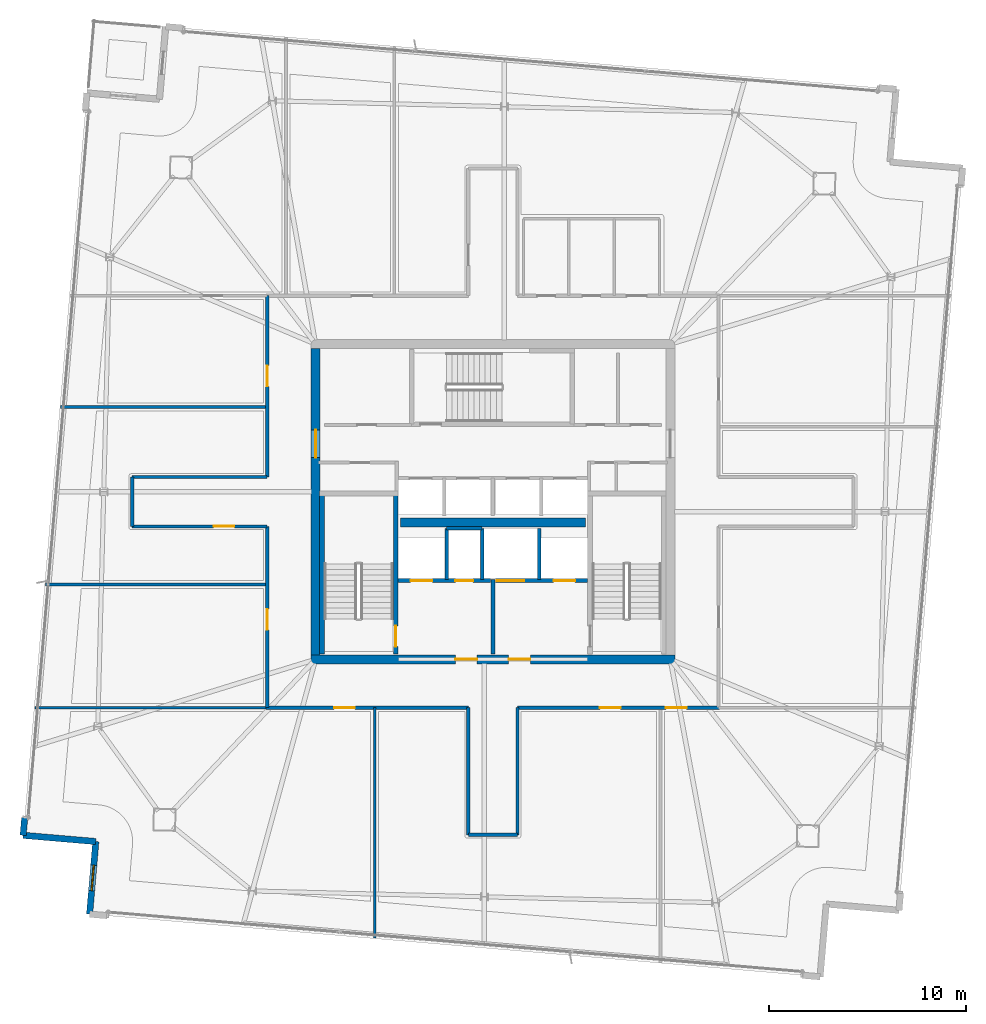
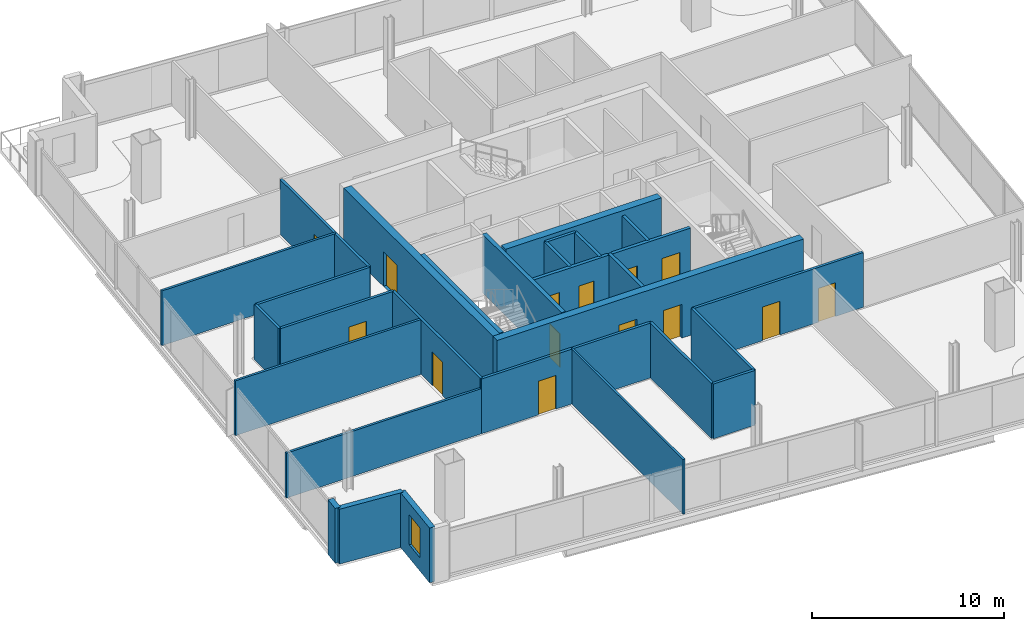
# One storey, part 19 of 24: 29 walls, 14 doors, 1 window, 15 openings.
"""IFC4 building model written with IfcOpenShell, lengths in metres."""

from ifc_helpers import new_model, si_unit, direction, frame, frame_2d, origin, place, context, subcontext, project, spatial, rectangle, extrude, material, layer, layer_set, type_object, element, fill, save


model = new_model("IFC4")

# Units and contexts
model_context = context("Model", 3, precision=1e-05, world=origin(), true_north=direction((0.0, 1.0)))
body_context = subcontext(model_context, "Body", "Model", "MODEL_VIEW")
ifc_project = project(units=[si_unit("LENGTHUNIT", "METRE"), si_unit("AREAUNIT", "SQUARE_METRE"), si_unit("VOLUMEUNIT", "CUBIC_METRE"), si_unit("PLANEANGLEUNIT", "RADIAN"), si_unit("MASSUNIT", "GRAM", prefix="KILO")], contexts=[model_context])

# Site, building, storey
site_placement = place(None, origin())
site = spatial("IfcSite", under=ifc_project, at=site_placement, CompositionType="ELEMENT")
building_placement = place(site_placement, origin())
building = spatial("IfcBuilding", under=site, at=building_placement, Name="Haldenkirk Collegiate Tower", CompositionType="ELEMENT")
storey_placement = place(building_placement, frame((0.0, 0.0, 313.949951171875)))
storey = spatial("IfcBuildingStorey", under=building, at=storey_placement, Name="L79", CompositionType="ELEMENT", Elevation=313.949951171875)

# Wall, openings, doors
ifc_material_1 = material(Name="Concrete f'c 55 MPa", Category="concrete")
ifc_layer_1 = layer(ifc_material_1, 0.449951171875)
ifc_layer_set_1 = layer_set([ifc_layer_1], Name="Concrete f'c 55 MPa")
wall_type_1 = type_object("IfcWallType", Name="WL-CORE-450", PredefinedType="SHEAR", material=ifc_layer_set_1)
wall_1_placement = place(storey_placement, frame((26.77490234375, 18.0, 0.0), z_axis=(0.0, 0.0, 1.0), x_axis=(1.0, 0.0, 0.0)))
wall_1 = element("IfcWall", 1, at=wall_1_placement, inside=storey, type_object=wall_type_1, Name="L79 central core shear wall S", PredefinedType="SHEAR", context=body_context, shape_type="SweptSolid", body=[
    extrude(rectangle(XDim=18.4501953125, YDim=0.449951171875, at=frame_2d((9.22509765625, 0.0))), origin(), (0.0, 0.0, 1.0), 3.75),
])
opening_1_placement = place(wall_1_placement, frame((7.324951171875, 0.0, 0.0)))
opening_1 = element("IfcOpeningElement", 2, at=opening_1_placement, cuts=wall_1, Name="Opening D-02", PredefinedType="OPENING", context=body_context, shape_type="SweptSolid", body=[
    extrude(rectangle(XDim=1.10009765625, YDim=2.14990234375, at=frame_2d((0.550048828125, 1.074951171875))), frame((0.0, 0.23486328125, 0.0), z_axis=(0.0, -1.0, 0.0), x_axis=(1.0, 0.0, 0.0)), (0.0, 0.0, 1.0), 0.469970703125),
])
opening_2_placement = place(wall_1_placement, frame((10.02490234375, 0.0, 0.0)))
opening_2 = element("IfcOpeningElement", 3, at=opening_2_placement, cuts=wall_1, Name="Opening D-02", PredefinedType="OPENING", context=body_context, shape_type="SweptSolid", body=[
    extrude(rectangle(XDim=1.10009765625, YDim=2.14990234375, at=frame_2d((0.550048828125, 1.074951171875))), frame((0.0, 0.23486328125, 0.0), z_axis=(0.0, -1.0, 0.0), x_axis=(1.0, 0.0, 0.0)), (0.0, 0.0, 1.0), 0.469970703125),
])
ifc_material_2 = material(Name="Galvanized fire-rated hollow steel door", Category="steel")
ifc_layer_2 = layer(ifc_material_2, 0.06005859375)
ifc_layer_set_2 = layer_set([ifc_layer_2], Name="Galvanized fire-rated hollow steel door")
door_type_1 = type_object("IfcDoorType", Name="DR-STAIR-FD90-1100", OperationType="NOTDEFINED", PredefinedType="DOOR", material=ifc_layer_set_2)
door_1_placement = place(opening_1_placement, origin())
door_1 = element("IfcDoor", 4, at=door_1_placement, inside=storey, type_object=door_type_1, Name="L79 Firefighting Lobby 1 door", OperationType="SINGLE_SWING_LEFT", OverallHeight=2.14990234375, OverallWidth=1.10009765625, PredefinedType="DOOR", context=body_context, shape_type="SweptSolid", body=[
    extrude(rectangle(XDim=1.10009765625, YDim=2.14990234375, at=frame_2d((0.550048828125, 1.074951171875))), frame((0.0, 0.02490234375, 0.0), z_axis=(0.0, -1.0, 0.0), x_axis=(1.0, 0.0, 0.0)), (0.0, 0.0, 1.0), 0.050048828125),
])
fill(opening_1, door_1)
door_2_placement = place(opening_2_placement, origin())
door_2 = element("IfcDoor", 5, at=door_2_placement, inside=storey, type_object=door_type_1, Name="L79 Firefighting Lobby 2 door", OperationType="SINGLE_SWING_RIGHT", OverallHeight=2.14990234375, OverallWidth=1.10009765625, PredefinedType="DOOR", context=body_context, shape_type="SweptSolid", body=[
    extrude(rectangle(XDim=1.10009765625, YDim=2.14990234375, at=frame_2d((0.550048828125, 1.074951171875))), frame((0.0, 0.02490234375, 0.0), z_axis=(0.0, -1.0, 0.0), x_axis=(1.0, 0.0, 0.0)), (0.0, 0.0, 1.0), 0.050048828125),
])
fill(opening_2, door_2)

# Wall, opening, door
wall_2_placement = place(storey_placement, frame((27.0, 18.22509765625, 0.0), z_axis=(0.0, 0.0, 1.0), x_axis=(0.0, 1.0, 0.0)))
wall_2 = element("IfcWall", 6, at=wall_2_placement, inside=storey, type_object=wall_type_1, Name="L79 central core shear wall W", PredefinedType="SHEAR", context=body_context, shape_type="SweptSolid", body=[
    extrude(rectangle(XDim=15.5498046875, YDim=0.449951171875, at=frame_2d((7.77490234375, 0.0))), origin(), (0.0, 0.0, 1.0), 3.75),
])
opening_3_placement = place(wall_2_placement, frame((10.014892578125, 0.0, 0.0)))
opening_3 = element("IfcOpeningElement", 7, at=opening_3_placement, cuts=wall_2, Name="Opening D-03", PredefinedType="OPENING", context=body_context, shape_type="SweptSolid", body=[
    extrude(rectangle(XDim=1.39990234375, YDim=2.199951171875, at=frame_2d((0.699951171875, 1.10009765625))), frame((0.0, 0.23486328125, 0.0), z_axis=(0.0, -1.0, 0.0), x_axis=(1.0, 0.0, 0.0)), (0.0, 0.0, 1.0), 0.469970703125),
])
ifc_layer_3 = layer(ifc_material_2, 0.06005859375)
ifc_layer_set_3 = layer_set([ifc_layer_3], Name="Galvanized fire-rated hollow steel door")
door_type_2 = type_object("IfcDoorType", Name="DR-LOBBY-FD90-1400", OperationType="NOTDEFINED", PredefinedType="DOOR", material=ifc_layer_set_3)
door_3_placement = place(opening_3_placement, origin())
door_3 = element("IfcDoor", 8, at=door_3_placement, inside=storey, type_object=door_type_2, Name="L79 west lift lobby portal", OperationType="DOUBLE_DOOR_SINGLE_SWING", OverallHeight=2.199951171875, OverallWidth=1.39990234375, PredefinedType="DOOR", context=body_context, shape_type="SweptSolid", body=[
    extrude(rectangle(XDim=1.39990234375, YDim=2.199951171875, at=frame_2d((0.699951171875, 1.10009765625))), frame((0.0, 0.02490234375, 0.0), z_axis=(0.0, -1.0, 0.0), x_axis=(1.0, 0.0, 0.0)), (0.0, 0.0, 1.0), 0.050048828125),
])
fill(opening_3, door_3)

# Walls
wall_3_placement = place(storey_placement, frame((31.31005859375, 24.949951171875, 0.0), z_axis=(0.0, 0.0, 1.0), x_axis=(1.0, 0.0, 0.0)))
element("IfcWall", 9, at=wall_3_placement, inside=storey, type_object=wall_type_1, Name="L79 central core spine shear wall", PredefinedType="SHEAR", context=body_context, shape_type="SweptSolid", body=[
    extrude(rectangle(XDim=9.3798828125, YDim=0.449951171875, at=frame_2d((4.68994140625, 0.0))), origin(), (0.0, 0.0, 1.0), 3.75),
])
ifc_material_3 = material(Name="Precast concrete f'c 40 MPa", Category="concrete")
ifc_layer_4 = layer(ifc_material_3, 0.320068359375)
ifc_layer_set_4 = layer_set([ifc_layer_4], Name="Precast concrete f'c 40 MPa")
wall_type_2 = type_object("IfcWallType", Name="WL-EXT-TWR-320", PredefinedType="STANDARD", material=ifc_layer_set_4)
wall_4_placement = place(storey_placement, frame((12.1669921875, 9.073974609375, 0.0), z_axis=(0.0, 0.0, 1.0), x_axis=(0.085447304034, 0.996342691163, 0.0)))
element("IfcWall", 10, at=wall_4_placement, inside=storey, type_object=wall_type_2, Name="L79 precast corner pier NL", PredefinedType="STANDARD", context=body_context, shape_type="SweptSolid", body=[
    extrude(rectangle(XDim=0.89990234375, YDim=0.320068359375, at=frame_2d((0.449951171875, 0.0))), origin(), (0.0, 0.0, 1.0), 3.489990234375),
])
wall_5_placement = place(storey_placement, frame((15.853515625, 8.7578125, 0.0), z_axis=(0.0, 0.0, 1.0), x_axis=(-0.996342637634, 0.085447928194, 0.0)))
element("IfcWall", 11, at=wall_5_placement, inside=storey, type_object=wall_type_2, Name="L79 bronze precast notch wall 08", PredefinedType="STANDARD", context=body_context, shape_type="SweptSolid", body=[
    extrude(rectangle(XDim=3.699951171875, YDim=0.320068359375, at=frame_2d((1.85009765625, 0.0))), origin(), (0.0, 0.0, 1.0), 3.489990234375),
])

# Wall, opening, window
wall_6_placement = place(storey_placement, frame((15.53759765625, 5.0712890625, 0.0), z_axis=(0.0, 0.0, 1.0), x_axis=(0.085382426449, 0.996348252999, 0.0)))
wall_6 = element("IfcWall", 12, at=wall_6_placement, inside=storey, type_object=wall_type_2, Name="L79 bronze precast notch wall 09", PredefinedType="STANDARD", context=body_context, shape_type="SweptSolid", body=[
    extrude(rectangle(XDim=3.699951171875, YDim=0.320068359375, at=frame_2d((1.85009765625, 0.0))), origin(), (0.0, 0.0, 1.0), 3.489990234375),
])
opening_4_placement = place(wall_6_placement, frame((1.199951171875, 0.0, 0.85009765625)))
opening_4 = element("IfcOpeningElement", 13, at=opening_4_placement, cuts=wall_6, Name="Opening W-08", PredefinedType="OPENING", context=body_context, shape_type="SweptSolid", body=[
    extrude(rectangle(XDim=1.300048828125, YDim=1.89990234375, at=frame_2d((0.64990234375, 0.949951171875))), frame((0.0, 0.169921875, 0.0), z_axis=(0.0, -1.0, 0.0), x_axis=(1.0, 0.0, 0.0)), (0.0, 0.0, 1.0), 0.340087890625),
])
ifc_material_4 = material(Name="Low-E argon triple insulating glass", Category="glass")
ifc_layer_5 = layer(ifc_material_4, 0.090087890625)
ifc_layer_set_5 = layer_set([ifc_layer_5], Name="Low-E argon triple insulating glass")
window_type = type_object("IfcWindowType", Name="WN-Z6-1300X1900", PartitioningType="SINGLE_PANEL", PredefinedType="WINDOW", material=ifc_layer_set_5)
window_placement = place(opening_4_placement, origin())
window = element("IfcWindow", 14, at=window_placement, inside=storey, type_object=window_type, Name="L79 precast-frame academic window 8", OverallHeight=1.89990234375, OverallWidth=1.300048828125, PartitioningType="SINGLE_PANEL", PredefinedType="WINDOW", context=body_context, shape_type="SweptSolid", body=[
    extrude(rectangle(XDim=1.300048828125, YDim=1.89990234375, at=frame_2d((0.64990234375, 0.949951171875))), frame((0.0, 0.030029296875, 0.0), z_axis=(0.0, -1.0, 0.0), x_axis=(1.0, 0.0, 0.0)), (0.0, 0.0, 1.0), 0.06005859375),
])
fill(opening_4, window)

# Wall, opening, door
ifc_material_5 = material(Name="Acoustic fire-rated gypsum partition", Category="concrete")
ifc_layer_6 = layer(ifc_material_5, 0.159912109375)
ifc_layer_set_6 = layer_set([ifc_layer_6], Name="Acoustic fire-rated gypsum partition")
wall_type_3 = type_object("IfcWallType", Name="WL-INT-CORR-160", PredefinedType="PARTITIONING", material=ifc_layer_set_6)
wall_7_placement = place(storey_placement, frame((24.5, 15.550048828125, 0.0), z_axis=(0.0, 0.0, 1.0), x_axis=(1.0, 0.0, 0.0)))
wall_7 = element("IfcWall", 15, at=wall_7_placement, inside=storey, type_object=wall_type_3, Name="L79 interior partition IW-L79-CS1", PredefinedType="PARTITIONING", context=body_context, shape_type="SweptSolid", body=[
    extrude(rectangle(XDim=10.25, YDim=0.159912109375, at=frame_2d((5.125, 0.0))), origin(), (0.0, 0.0, 1.0), 3.489990234375),
])
opening_5_placement = place(wall_7_placement, frame((3.44091796875, 0.0, 0.0)))
opening_5 = element("IfcOpeningElement", 16, at=opening_5_placement, cuts=wall_7, Name="Opening D-09", PredefinedType="OPENING", context=body_context, shape_type="SweptSolid", body=[
    extrude(rectangle(XDim=1.050048828125, YDim=2.14990234375, at=frame_2d((0.52490234375, 1.074951171875))), frame((0.0, 0.08984375, 0.0), z_axis=(0.0, -1.0, 0.0), x_axis=(1.0, 0.0, 0.0)), (0.0, 0.0, 1.0), 0.179931640625),
])
ifc_material_6 = material(Name="Solid-core architectural oak fire door", Category="wood")
ifc_layer_7 = layer(ifc_material_6, 0.06005859375)
ifc_layer_set_7 = layer_set([ifc_layer_7], Name="Solid-core architectural oak fire door")
door_type_3 = type_object("IfcDoorType", Name="DR-INT-FD60-1050", OperationType="NOTDEFINED", PredefinedType="DOOR", material=ifc_layer_set_7)
door_4_placement = place(opening_5_placement, origin())
door_4 = element("IfcDoor", 17, at=door_4_placement, inside=storey, type_object=door_type_3, Name="L79 Faculty Office 1 door", OperationType="SINGLE_SWING_LEFT", OverallHeight=2.14990234375, OverallWidth=1.050048828125, PredefinedType="DOOR", context=body_context, shape_type="SweptSolid", body=[
    extrude(rectangle(XDim=1.050048828125, YDim=2.14990234375, at=frame_2d((0.52490234375, 1.074951171875))), frame((0.0, 0.02490234375, 0.0), z_axis=(0.0, -1.0, 0.0), x_axis=(1.0, 0.0, 0.0)), (0.0, 0.0, 1.0), 0.050048828125),
])
fill(opening_5, door_4)

# Wall, openings, doors
wall_8_placement = place(storey_placement, frame((37.25, 15.550048828125, 0.0), z_axis=(0.0, 0.0, 1.0), x_axis=(1.0, 0.0, 0.0)))
wall_8 = element("IfcWall", 18, at=wall_8_placement, inside=storey, type_object=wall_type_3, Name="L79 interior partition IW-L79-CS2", PredefinedType="PARTITIONING", context=body_context, shape_type="SweptSolid", body=[
    extrude(rectangle(XDim=10.25, YDim=0.159912109375, at=frame_2d((5.125, 0.0))), origin(), (0.0, 0.0, 1.0), 3.489990234375),
])
opening_6_placement = place(wall_8_placement, frame((4.176025390625, 0.0, 0.0)))
opening_6 = element("IfcOpeningElement", 19, at=opening_6_placement, cuts=wall_8, Name="Opening D-09", PredefinedType="OPENING", context=body_context, shape_type="SweptSolid", body=[
    extrude(rectangle(XDim=1.050048828125, YDim=2.14990234375, at=frame_2d((0.52490234375, 1.074951171875))), frame((0.0, 0.08984375, 0.0), z_axis=(0.0, -1.0, 0.0), x_axis=(1.0, 0.0, 0.0)), (0.0, 0.0, 1.0), 0.179931640625),
])
opening_7_placement = place(wall_8_placement, frame((7.530029296875, 0.0, 0.0)))
opening_7 = element("IfcOpeningElement", 20, at=opening_7_placement, cuts=wall_8, Name="Opening D-09", PredefinedType="OPENING", context=body_context, shape_type="SweptSolid", body=[
    extrude(rectangle(XDim=1.050048828125, YDim=2.14990234375, at=frame_2d((0.52490234375, 1.074951171875))), frame((0.0, 0.08984375, 0.0), z_axis=(0.0, -1.0, 0.0), x_axis=(1.0, 0.0, 0.0)), (0.0, 0.0, 1.0), 0.179931640625),
])
door_5_placement = place(opening_6_placement, origin())
door_5 = element("IfcDoor", 21, at=door_5_placement, inside=storey, type_object=door_type_3, Name="L79 Research Office 2 door", OperationType="SINGLE_SWING_RIGHT", OverallHeight=2.14990234375, OverallWidth=1.050048828125, PredefinedType="DOOR", context=body_context, shape_type="SweptSolid", body=[
    extrude(rectangle(XDim=1.050048828125, YDim=2.14990234375, at=frame_2d((0.52490234375, 1.074951171875))), frame((0.0, 0.02490234375, 0.0), z_axis=(0.0, -1.0, 0.0), x_axis=(1.0, 0.0, 0.0)), (0.0, 0.0, 1.0), 0.050048828125),
])
fill(opening_6, door_5)
door_6_placement = place(opening_7_placement, origin())
door_6 = element("IfcDoor", 22, at=door_6_placement, inside=storey, type_object=door_type_3, Name="L79 Senior Fellow Office 3 door", OperationType="SINGLE_SWING_LEFT", OverallHeight=2.14990234375, OverallWidth=1.050048828125, PredefinedType="DOOR", context=body_context, shape_type="SweptSolid", body=[
    extrude(rectangle(XDim=1.050048828125, YDim=2.14990234375, at=frame_2d((0.52490234375, 1.074951171875))), frame((0.0, 0.02490234375, 0.0), z_axis=(0.0, -1.0, 0.0), x_axis=(1.0, 0.0, 0.0)), (0.0, 0.0, 1.0), 0.050048828125),
])
fill(opening_7, door_6)

# Wall, opening, door
wall_9_placement = place(storey_placement, frame((24.550048828125, 15.550048828125, 0.0), z_axis=(0.0, 0.0, 1.0), x_axis=(0.0, 1.0, 0.0)))
wall_9 = element("IfcWall", 23, at=wall_9_placement, inside=storey, type_object=wall_type_3, Name="L79 interior partition IW-L79-CW1", PredefinedType="PARTITIONING", context=body_context, shape_type="SweptSolid", body=[
    extrude(rectangle(XDim=9.199951171875, YDim=0.159912109375, at=frame_2d((4.60009765625, 0.0))), origin(), (0.0, 0.0, 1.0), 3.489990234375),
])
opening_8_placement = place(wall_9_placement, frame((3.950927734375, 0.0, 0.0)))
opening_8 = element("IfcOpeningElement", 24, at=opening_8_placement, cuts=wall_9, Name="Opening D-09", PredefinedType="OPENING", context=body_context, shape_type="SweptSolid", body=[
    extrude(rectangle(XDim=1.050048828125, YDim=2.14990234375, at=frame_2d((0.52490234375, 1.074951171875))), frame((0.0, 0.08984375, 0.0), z_axis=(0.0, -1.0, 0.0), x_axis=(1.0, 0.0, 0.0)), (0.0, 0.0, 1.0), 0.179931640625),
])
door_7_placement = place(opening_8_placement, origin())
door_7 = element("IfcDoor", 25, at=door_7_placement, inside=storey, type_object=door_type_3, Name="L79 Faculty Office 7 door", OperationType="SINGLE_SWING_LEFT", OverallHeight=2.14990234375, OverallWidth=1.050048828125, PredefinedType="DOOR", context=body_context, shape_type="SweptSolid", body=[
    extrude(rectangle(XDim=1.050048828125, YDim=2.14990234375, at=frame_2d((0.52490234375, 1.074951171875))), frame((0.0, 0.02490234375, 0.0), z_axis=(0.0, -1.0, 0.0), x_axis=(1.0, 0.0, 0.0)), (0.0, 0.0, 1.0), 0.050048828125),
])
fill(opening_8, door_7)

wall_10_placement = place(storey_placement, frame((24.550048828125, 27.25, 0.0), z_axis=(0.0, 0.0, 1.0), x_axis=(0.0, 1.0, 0.0)))
wall_10 = element("IfcWall", 26, at=wall_10_placement, inside=storey, type_object=wall_type_3, Name="L79 interior partition IW-L79-CW2", PredefinedType="PARTITIONING", context=body_context, shape_type="SweptSolid", body=[
    extrude(rectangle(XDim=9.199951171875, YDim=0.159912109375, at=frame_2d((4.60009765625, 0.0))), origin(), (0.0, 0.0, 1.0), 3.489990234375),
])
opening_9_placement = place(wall_10_placement, frame((4.60693359375, 0.0, 0.0)))
opening_9 = element("IfcOpeningElement", 27, at=opening_9_placement, cuts=wall_10, Name="Opening D-09", PredefinedType="OPENING", context=body_context, shape_type="SweptSolid", body=[
    extrude(rectangle(XDim=1.050048828125, YDim=2.14990234375, at=frame_2d((0.52490234375, 1.074951171875))), frame((0.0, 0.08984375, 0.0), z_axis=(0.0, -1.0, 0.0), x_axis=(1.0, 0.0, 0.0)), (0.0, 0.0, 1.0), 0.179931640625),
])
door_8_placement = place(opening_9_placement, origin())
door_8 = element("IfcDoor", 28, at=door_8_placement, inside=storey, type_object=door_type_3, Name="L79 Senior Fellow Office 9 door", OperationType="SINGLE_SWING_LEFT", OverallHeight=2.14990234375, OverallWidth=1.050048828125, PredefinedType="DOOR", context=body_context, shape_type="SweptSolid", body=[
    extrude(rectangle(XDim=1.050048828125, YDim=2.14990234375, at=frame_2d((0.52490234375, 1.074951171875))), frame((0.0, 0.02490234375, 0.0), z_axis=(0.0, -1.0, 0.0), x_axis=(1.0, 0.0, 0.0)), (0.0, 0.0, 1.0), 0.050048828125),
])
fill(opening_9, door_8)

# Walls
for number, where, z_axis, x_axis, name in (
    (29, (34.75, 9.10009765625, 0.0), (0.0, 0.0, 1.0), (0.0, 1.0, 0.0), "L79 interior partition IW-L79-SPW"),
    (30, (37.25, 9.10009765625, 0.0), (0.0, 0.0, 1.0), (0.0, 1.0, 0.0), "L79 interior partition IW-L79-SPE"),
):
    element("IfcWall", number, at=place(storey_placement, frame(where, z_axis=z_axis, x_axis=x_axis)), inside=storey, type_object=wall_type_3, Name=name, PredefinedType="PARTITIONING", context=body_context, shape_type="SweptSolid", body=[
        extrude(rectangle(XDim=6.449951171875, YDim=0.159912109375, at=frame_2d((3.22509765625, 0.0))), origin(), (0.0, 0.0, 1.0), 3.489990234375),
    ])
wall_11_placement = place(storey_placement, frame((34.75, 9.10009765625, 0.0), z_axis=(0.0, 0.0, 1.0), x_axis=(1.0, 0.0, 0.0)))
element("IfcWall", 31, at=wall_11_placement, inside=storey, type_object=wall_type_3, Name="L79 interior partition IW-L79-SPS", PredefinedType="PARTITIONING", context=body_context, shape_type="SweptSolid", body=[
    extrude(rectangle(XDim=2.5, YDim=0.159912109375, at=frame_2d((1.25, 0.0))), origin(), (0.0, 0.0, 1.0), 3.489990234375),
])

# Wall, opening, door
wall_12_placement = place(storey_placement, frame((17.699951171875, 24.75, 0.0), z_axis=(0.0, 0.0, 1.0), x_axis=(1.0, 0.0, 0.0)))
wall_12 = element("IfcWall", 32, at=wall_12_placement, inside=storey, type_object=wall_type_3, Name="L79 interior partition IW-L79-WPS", PredefinedType="PARTITIONING", context=body_context, shape_type="SweptSolid", body=[
    extrude(rectangle(XDim=6.85009765625, YDim=0.159912109375, at=frame_2d((3.425048828125, 0.0))), origin(), (0.0, 0.0, 1.0), 3.489990234375),
])
opening_10_placement = place(wall_12_placement, frame((4.133056640625, 0.0, 0.0)))
opening_10 = element("IfcOpeningElement", 33, at=opening_10_placement, cuts=wall_12, Name="Opening D-09", PredefinedType="OPENING", context=body_context, shape_type="SweptSolid", body=[
    extrude(rectangle(XDim=1.050048828125, YDim=2.14990234375, at=frame_2d((0.52490234375, 1.074951171875))), frame((0.0, 0.08984375, 0.0), z_axis=(0.0, -1.0, 0.0), x_axis=(1.0, 0.0, 0.0)), (0.0, 0.0, 1.0), 0.179931640625),
])
door_9_placement = place(opening_10_placement, origin())
door_9 = element("IfcDoor", 34, at=door_9_placement, inside=storey, type_object=door_type_3, Name="L79 Research Office 8 door", OperationType="SINGLE_SWING_RIGHT", OverallHeight=2.14990234375, OverallWidth=1.050048828125, PredefinedType="DOOR", context=body_context, shape_type="SweptSolid", body=[
    extrude(rectangle(XDim=1.050048828125, YDim=2.14990234375, at=frame_2d((0.52490234375, 1.074951171875))), frame((0.0, 0.02490234375, 0.0), z_axis=(0.0, -1.0, 0.0), x_axis=(1.0, 0.0, 0.0)), (0.0, 0.0, 1.0), 0.050048828125),
])
fill(opening_10, door_9)

# Walls
wall_13_placement = place(storey_placement, frame((17.699951171875, 27.25, 0.0), z_axis=(0.0, 0.0, 1.0), x_axis=(1.0, 0.0, 0.0)))
element("IfcWall", 35, at=wall_13_placement, inside=storey, type_object=wall_type_3, Name="L79 interior partition IW-L79-WPN", PredefinedType="PARTITIONING", context=body_context, shape_type="SweptSolid", body=[
    extrude(rectangle(XDim=6.85009765625, YDim=0.159912109375, at=frame_2d((3.425048828125, 0.0))), origin(), (0.0, 0.0, 1.0), 3.489990234375),
])
wall_14_placement = place(storey_placement, frame((17.699951171875, 24.75, 0.0), z_axis=(0.0, 0.0, 1.0), x_axis=(0.0, 1.0, 0.0)))
element("IfcWall", 36, at=wall_14_placement, inside=storey, type_object=wall_type_3, Name="L79 interior partition IW-L79-WPW", PredefinedType="PARTITIONING", context=body_context, shape_type="SweptSolid", body=[
    extrude(rectangle(XDim=2.5, YDim=0.159912109375, at=frame_2d((1.25, 0.0))), origin(), (0.0, 0.0, 1.0), 3.489990234375),
])
ifc_layer_8 = layer(ifc_material_5, 0.139892578125)
ifc_layer_set_8 = layer_set([ifc_layer_8], Name="Acoustic fire-rated gypsum partition")
wall_type_4 = type_object("IfcWallType", Name="WL-INT-DIV-140", PredefinedType="PARTITIONING", material=ifc_layer_set_8)
wall_15_placement = place(storey_placement, frame((12.762451171875, 15.550048828125, 0.0), z_axis=(0.0, 0.0, 1.0), x_axis=(1.0, 0.0, 0.0)))
element("IfcWall", 37, at=wall_15_placement, inside=storey, type_object=wall_type_4, Name="L79 interior partition IW-L79-BWS", PredefinedType="PARTITIONING", context=body_context, shape_type="SweptSolid", body=[
    extrude(rectangle(XDim=11.78759765625, YDim=0.139892578125, at=frame_2d((5.893798828125, 0.0))), origin(), (0.0, 0.0, 1.0), 2.8681640625),
])
wall_16_placement = place(storey_placement, frame((13.29833984375, 21.800048828125, 0.0), z_axis=(0.0, 0.0, 1.0), x_axis=(1.0, 0.0, 0.0)))
element("IfcWall", 38, at=wall_16_placement, inside=storey, type_object=wall_type_4, Name="L79 interior partition IW-L79-RW1", PredefinedType="PARTITIONING", context=body_context, shape_type="SweptSolid", body=[
    extrude(rectangle(XDim=11.251708984375, YDim=0.139892578125, at=frame_2d((5.6259765625, 0.0))), origin(), (0.0, 0.0, 1.0), 3.489990234375),
])
wall_17_placement = place(storey_placement, frame((14.06982421875, 30.800048828125, 0.0), z_axis=(0.0, 0.0, 1.0), x_axis=(1.0, 0.0, 0.0)))
element("IfcWall", 39, at=wall_17_placement, inside=storey, type_object=wall_type_4, Name="L79 interior partition IW-L79-RW2", PredefinedType="PARTITIONING", context=body_context, shape_type="SweptSolid", body=[
    extrude(rectangle(XDim=10.480224609375, YDim=0.139892578125, at=frame_2d((5.240234375, 0.0))), origin(), (0.0, 0.0, 1.0), 3.489990234375),
])
ifc_material_7 = material(Name="Fire-rated gypsum shaftboard assembly", Category="concrete")
ifc_layer_9 = layer(ifc_material_7, 0.179931640625)
ifc_layer_set_9 = layer_set([ifc_layer_9], Name="Fire-rated gypsum shaftboard assembly")
wall_type_5 = type_object("IfcWallType", Name="WL-INT-SHAFT-180", PredefinedType="PARTITIONING", material=ifc_layer_set_9)
for number, where, z_axis, x_axis, name in (
    (40, (33.64990234375, 22.050048828125, 0.0), (0.0, 0.0, 1.0), (0.0, 1.0, 0.0), "L79 interior partition IW-L79-FL1E"),
    (41, (35.449951171875, 22.050048828125, 0.0), (0.0, 0.0, 1.0), (0.0, 1.0, 0.0), "L79 interior partition IW-L79-GL1W"),
):
    element("IfcWall", number, at=place(storey_placement, frame(where, z_axis=z_axis, x_axis=x_axis)), inside=storey, type_object=wall_type_5, Name=name, PredefinedType="PARTITIONING", context=body_context, shape_type="SweptSolid", body=[
        extrude(rectangle(XDim=2.599853515625, YDim=0.179931640625, at=frame_2d((1.2998046875, 0.0))), origin(), (0.0, 0.0, 1.0), 3.489990234375),
    ])
wall_18_placement = place(storey_placement, frame((33.64990234375, 24.64990234375, 0.0), z_axis=(0.0, 0.0, 1.0), x_axis=(1.0, 0.0, 0.0)))
element("IfcWall", 42, at=wall_18_placement, inside=storey, type_object=wall_type_5, Name="L79 interior partition IW-L79-RSRN", PredefinedType="PARTITIONING", context=body_context, shape_type="SweptSolid", body=[
    extrude(rectangle(XDim=1.800048828125, YDim=0.179931640625, at=frame_2d((0.89990234375, 0.0))), origin(), (0.0, 0.0, 1.0), 3.489990234375),
])
wall_19_placement = place(storey_placement, frame((38.35009765625, 22.050048828125, 0.0), z_axis=(0.0, 0.0, 1.0), x_axis=(0.0, 1.0, 0.0)))
element("IfcWall", 43, at=wall_19_placement, inside=storey, type_object=wall_type_5, Name="L79 interior partition IW-L79-GL1E", PredefinedType="PARTITIONING", context=body_context, shape_type="SweptSolid", body=[
    extrude(rectangle(XDim=2.599853515625, YDim=0.179931640625, at=frame_2d((1.2998046875, 0.0))), origin(), (0.0, 0.0, 1.0), 3.489990234375),
])
ifc_layer_10 = layer(ifc_material_7, 0.199951171875)
ifc_layer_set_10 = layer_set([ifc_layer_10], Name="Fire-rated gypsum shaftboard assembly")
wall_type_6 = type_object("IfcWallType", Name="WL-INT-SHAFT-200", PredefinedType="PARTITIONING", material=ifc_layer_set_10)
wall_20_placement = place(storey_placement, frame((36.0, 18.280029296875, 0.0), z_axis=(0.0, 0.0, 1.0), x_axis=(0.0, 1.0, 0.0)))
element("IfcWall", 44, at=wall_20_placement, inside=storey, type_object=wall_type_6, Name="L79 interior partition IW-L79-FFLM", PredefinedType="PARTITIONING", context=body_context, shape_type="SweptSolid", body=[
    extrude(rectangle(XDim=3.77001953125, YDim=0.199951171875, at=frame_2d((1.885009765625, 0.0))), origin(), (0.0, 0.0, 1.0), 3.489990234375),
])

# Wall, openings, doors
wall_21_placement = place(storey_placement, frame((31.18994140625, 22.0, 0.0), z_axis=(0.0, 0.0, 1.0), x_axis=(1.0, 0.0, 0.0)))
wall_21 = element("IfcWall", 45, at=wall_21_placement, inside=storey, type_object=wall_type_6, Name="L79 interior partition IW-L79-FFL1N", PredefinedType="PARTITIONING", context=body_context, shape_type="SweptSolid", body=[
    extrude(rectangle(XDim=4.68994140625, YDim=0.199951171875, at=frame_2d((2.344970703125, 0.0))), origin(), (0.0, 0.0, 1.0), 3.489990234375),
])
opening_11_placement = place(wall_21_placement, frame((2.909912109375, 0.0, 0.0)))
opening_11 = element("IfcOpeningElement", 46, at=opening_11_placement, cuts=wall_21, Name="Opening D-06", PredefinedType="OPENING", context=body_context, shape_type="SweptSolid", body=[
    extrude(rectangle(XDim=0.89990234375, YDim=2.14990234375, at=frame_2d((0.449951171875, 1.074951171875))), frame((0.0, 0.10986328125, 0.0), z_axis=(0.0, -1.0, 0.0), x_axis=(1.0, 0.0, 0.0)), (0.0, 0.0, 1.0), 0.219970703125),
])
opening_12_placement = place(wall_21_placement, frame((0.635009765625, 0.0, 0.0)))
opening_12 = element("IfcOpeningElement", 47, at=opening_12_placement, cuts=wall_21, Name="Opening LD-12", PredefinedType="OPENING", context=body_context, shape_type="SweptSolid", body=[
    extrude(rectangle(XDim=1.10009765625, YDim=2.14990234375, at=frame_2d((0.550048828125, 1.074951171875))), frame((0.0, 0.10986328125, 0.0), z_axis=(0.0, -1.0, 0.0), x_axis=(1.0, 0.0, 0.0)), (0.0, 0.0, 1.0), 0.219970703125),
])
ifc_layer_11 = layer(ifc_material_2, 0.06005859375)
ifc_layer_set_11 = layer_set([ifc_layer_11], Name="Galvanized fire-rated hollow steel door")
door_type_4 = type_object("IfcDoorType", Name="DR-INT-FD90-900", OperationType="NOTDEFINED", PredefinedType="DOOR", material=ifc_layer_set_11)
door_10_placement = place(opening_11_placement, origin())
door_10 = element("IfcDoor", 48, at=door_10_placement, inside=storey, type_object=door_type_4, Name="L79 electrical riser door", OperationType="SINGLE_SWING_LEFT", OverallHeight=2.14990234375, OverallWidth=0.89990234375, PredefinedType="DOOR", context=body_context, shape_type="SweptSolid", body=[
    extrude(rectangle(XDim=0.89990234375, YDim=2.14990234375, at=frame_2d((0.449951171875, 1.074951171875))), frame((0.0, 0.02490234375, 0.0), z_axis=(0.0, -1.0, 0.0), x_axis=(1.0, 0.0, 0.0)), (0.0, 0.0, 1.0), 0.050048828125),
])
fill(opening_11, door_10)
ifc_material_8 = material(Name="Brushed architectural stainless steel", Category="steel")
ifc_layer_12 = layer(ifc_material_8, 0.06005859375)
ifc_layer_set_12 = layer_set([ifc_layer_12], Name="Brushed architectural stainless steel")
door_type_5 = type_object("IfcDoorType", Name="LD-FIRE-1100", OperationType="NOTDEFINED", PredefinedType="DOOR", material=ifc_layer_set_12)
door_11_placement = place(opening_12_placement, origin())
door_11 = element("IfcDoor", 49, at=door_11_placement, inside=storey, type_object=door_type_5, Name="L79 Elevator FL1 sliding landing door", OperationType="SLIDING_TO_LEFT", OverallHeight=2.14990234375, OverallWidth=1.10009765625, PredefinedType="DOOR", context=body_context, shape_type="SweptSolid", body=[
    extrude(rectangle(XDim=1.10009765625, YDim=2.14990234375, at=frame_2d((0.550048828125, 1.074951171875))), frame((0.0, 0.02490234375, 0.0), z_axis=(0.0, -1.0, 0.0), x_axis=(1.0, 0.0, 0.0)), (0.0, 0.0, 1.0), 0.050048828125),
])
fill(opening_12, door_11)

wall_22_placement = place(storey_placement, frame((36.1201171875, 22.0, 0.0), z_axis=(0.0, 0.0, 1.0), x_axis=(1.0, 0.0, 0.0)))
wall_22 = element("IfcWall", 50, at=wall_22_placement, inside=storey, type_object=wall_type_6, Name="L79 interior partition IW-L79-FFL2N", PredefinedType="PARTITIONING", context=body_context, shape_type="SweptSolid", body=[
    extrude(rectangle(XDim=4.68994140625, YDim=0.199951171875, at=frame_2d((2.344970703125, 0.0))), origin(), (0.0, 0.0, 1.0), 3.489990234375),
])
opening_13_placement = place(wall_22_placement, frame((2.955078125, 0.0, 0.0)))
opening_13 = element("IfcOpeningElement", 51, at=opening_13_placement, cuts=wall_22, Name="Opening LD-12", PredefinedType="OPENING", context=body_context, shape_type="SweptSolid", body=[
    extrude(rectangle(XDim=1.10009765625, YDim=2.14990234375, at=frame_2d((0.550048828125, 1.074951171875))), frame((0.0, 0.10986328125, 0.0), z_axis=(0.0, -1.0, 0.0), x_axis=(1.0, 0.0, 0.0)), (0.0, 0.0, 1.0), 0.219970703125),
])
opening_14_placement = place(wall_22_placement, frame((0.080078125, 0.0, 0.0)))
opening_14 = element("IfcOpeningElement", 52, at=opening_14_placement, cuts=wall_22, Name="Opening LD-13", PredefinedType="OPENING", context=body_context, shape_type="SweptSolid", body=[
    extrude(rectangle(XDim=1.39990234375, YDim=2.199951171875, at=frame_2d((0.699951171875, 1.10009765625))), frame((0.0, 0.10986328125, 0.0), z_axis=(0.0, -1.0, 0.0), x_axis=(1.0, 0.0, 0.0)), (0.0, 0.0, 1.0), 0.219970703125),
])
door_12_placement = place(opening_13_placement, origin())
door_12 = element("IfcDoor", 53, at=door_12_placement, inside=storey, type_object=door_type_5, Name="L79 Elevator FL2 sliding landing door", OperationType="SLIDING_TO_LEFT", OverallHeight=2.14990234375, OverallWidth=1.10009765625, PredefinedType="DOOR", context=body_context, shape_type="SweptSolid", body=[
    extrude(rectangle(XDim=1.10009765625, YDim=2.14990234375, at=frame_2d((0.550048828125, 1.074951171875))), frame((0.0, 0.02490234375, 0.0), z_axis=(0.0, -1.0, 0.0), x_axis=(1.0, 0.0, 0.0)), (0.0, 0.0, 1.0), 0.050048828125),
])
fill(opening_13, door_12)
ifc_layer_13 = layer(ifc_material_8, 0.06005859375)
ifc_layer_set_13 = layer_set([ifc_layer_13], Name="Brushed architectural stainless steel")
door_type_6 = type_object("IfcDoorType", Name="LD-GOODS-1400", OperationType="NOTDEFINED", PredefinedType="DOOR", material=ifc_layer_set_13)
door_13_placement = place(opening_14_placement, origin())
door_13 = element("IfcDoor", 54, at=door_13_placement, inside=storey, type_object=door_type_6, Name="L79 Elevator GL1 sliding landing door", OperationType="SLIDING_TO_LEFT", OverallHeight=2.199951171875, OverallWidth=1.39990234375, PredefinedType="DOOR", context=body_context, shape_type="SweptSolid", body=[
    extrude(rectangle(XDim=1.39990234375, YDim=2.199951171875, at=frame_2d((0.699951171875, 1.10009765625))), frame((0.0, 0.02490234375, 0.0), z_axis=(0.0, -1.0, 0.0), x_axis=(1.0, 0.0, 0.0)), (0.0, 0.0, 1.0), 0.050048828125),
])
fill(opening_14, door_13)

# Wall
ifc_layer_14 = layer(ifc_material_5, 0.1201171875)
ifc_layer_set_14 = layer_set([ifc_layer_14], Name="Acoustic fire-rated gypsum partition")
wall_type_7 = type_object("IfcWallType", Name="WL-INT-WET-120", PredefinedType="PARTITIONING", material=ifc_layer_set_14)
wall_23_placement = place(storey_placement, frame((30.0, 3.87158203125, 0.0), z_axis=(0.0, 0.0, 1.0), x_axis=(0.0, 1.0, 0.0)))
element("IfcWall", 55, at=wall_23_placement, inside=storey, type_object=wall_type_7, Name="L79 interior partition IW-L79-RS1", PredefinedType="PARTITIONING", context=body_context, shape_type="SweptSolid", body=[
    extrude(rectangle(XDim=11.678466796875, YDim=0.1201171875, at=frame_2d((5.83935546875, 0.0))), origin(), (0.0, 0.0, 1.0), 3.489990234375),
])

# Wall, opening, door
ifc_layer_15 = layer(ifc_material_1, 0.239990234375)
ifc_layer_set_15 = layer_set([ifc_layer_15], Name="Concrete f'c 55 MPa")
wall_type_8 = type_object("IfcWallType", Name="WL-SHAFT-240", PredefinedType="SHEAR", material=ifc_layer_set_15)
wall_24_placement = place(storey_placement, frame((31.070068359375, 18.280029296875, 0.0), z_axis=(0.0, 0.0, 1.0), x_axis=(0.0, 1.0, 0.0)))
wall_24 = element("IfcWall", 56, at=wall_24_placement, inside=storey, type_object=wall_type_8, Name="L79 stair shaft shear wall SW-L79-ST1E", PredefinedType="SHEAR", context=body_context, shape_type="SweptSolid", body=[
    extrude(rectangle(XDim=8.260009765625, YDim=0.239990234375, at=frame_2d((4.1298828125, 0.0))), origin(), (0.0, 0.0, 1.0), 3.75),
])
opening_15_placement = place(wall_24_placement, frame((0.364990234375, 0.0, 0.0)))
opening_15 = element("IfcOpeningElement", 57, at=opening_15_placement, cuts=wall_24, Name="Opening D-01", PredefinedType="OPENING", context=body_context, shape_type="SweptSolid", body=[
    extrude(rectangle(XDim=1.050048828125, YDim=2.14990234375, at=frame_2d((0.52490234375, 1.074951171875))), frame((0.0, 0.1298828125, 0.0), z_axis=(0.0, -1.0, 0.0), x_axis=(1.0, 0.0, 0.0)), (0.0, 0.0, 1.0), 0.260009765625),
])
ifc_layer_16 = layer(ifc_material_2, 0.06005859375)
ifc_layer_set_16 = layer_set([ifc_layer_16], Name="Galvanized fire-rated hollow steel door")
door_type_7 = type_object("IfcDoorType", Name="DR-STAIR-FD90-1050", OperationType="NOTDEFINED", PredefinedType="DOOR", material=ifc_layer_set_16)
door_14_placement = place(opening_15_placement, origin())
door_14 = element("IfcDoor", 58, at=door_14_placement, inside=storey, type_object=door_type_7, Name="L79 Stair 1 door", OperationType="SINGLE_SWING_LEFT", OverallHeight=2.14990234375, OverallWidth=1.050048828125, PredefinedType="DOOR", context=body_context, shape_type="SweptSolid", body=[
    extrude(rectangle(XDim=1.050048828125, YDim=2.14990234375, at=frame_2d((0.52490234375, 1.074951171875))), frame((0.0, 0.02490234375, 0.0), z_axis=(0.0, -1.0, 0.0), x_axis=(1.0, 0.0, 0.0)), (0.0, 0.0, 1.0), 0.050048828125),
])
fill(opening_15, door_14)

# Wall
wall_25_placement = place(storey_placement, frame((27.330078125, 18.280029296875, 0.0), z_axis=(0.0, 0.0, 1.0), x_axis=(0.0, 1.0, 0.0)))
element("IfcWall", 59, at=wall_25_placement, inside=storey, type_object=wall_type_8, Name="L79 stair shaft shear wall SW-L79-ST1W", PredefinedType="SHEAR", context=body_context, shape_type="SweptSolid", body=[
    extrude(rectangle(XDim=8.260009765625, YDim=0.239990234375, at=frame_2d((4.1298828125, 0.0))), origin(), (0.0, 0.0, 1.0), 3.75),
])

save(model, "model.ifc")
